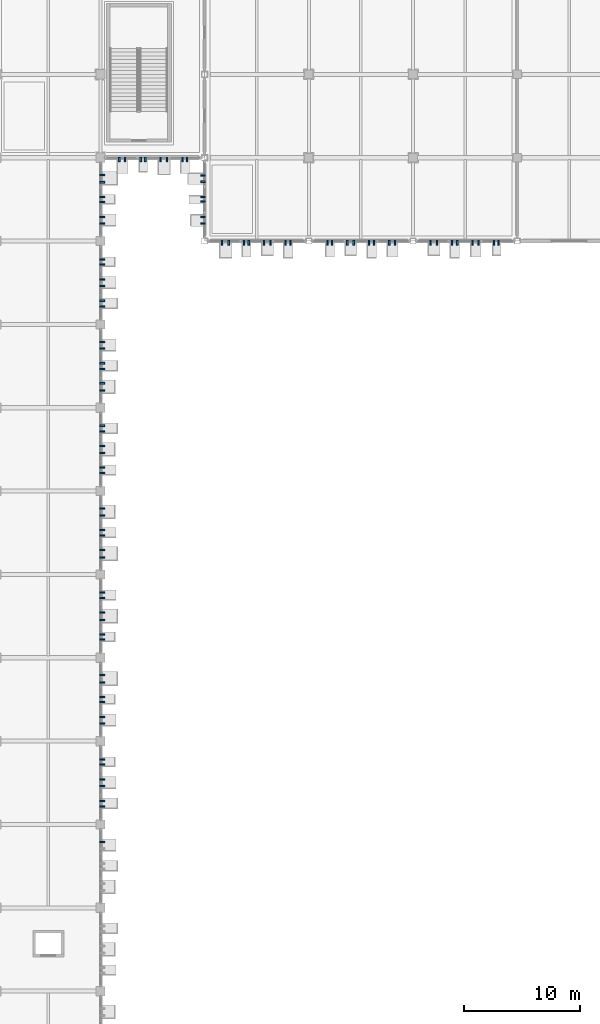
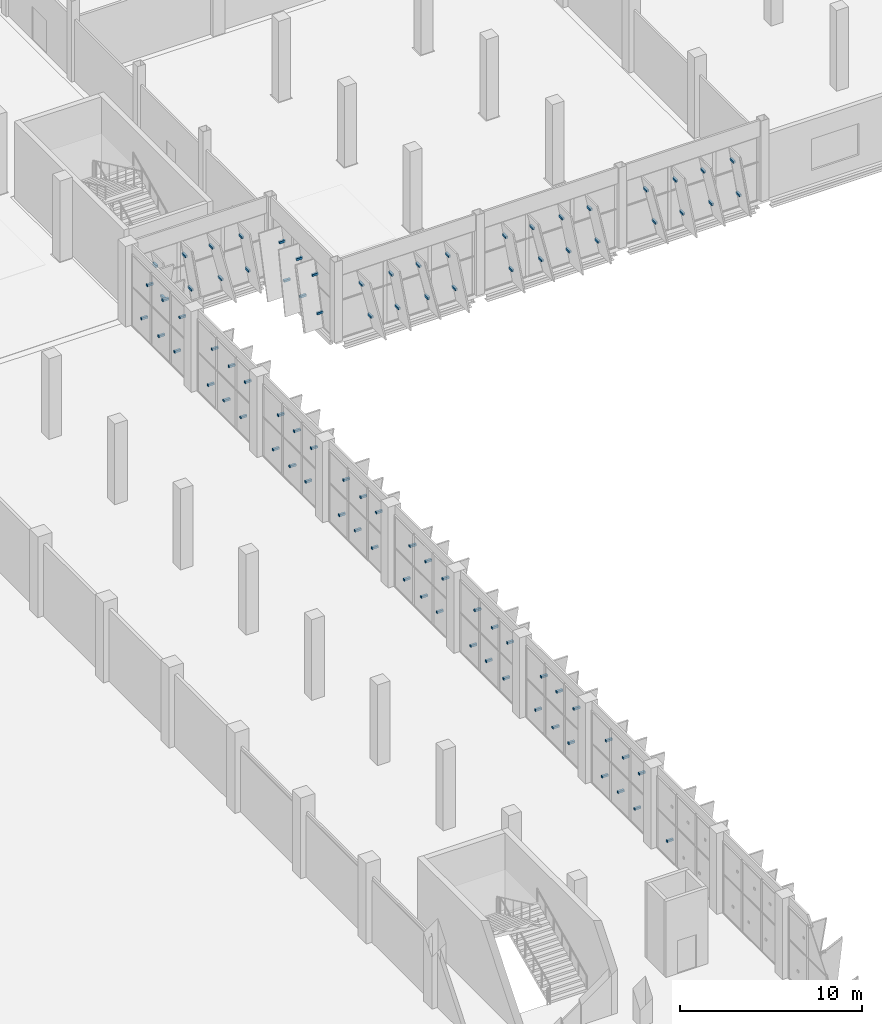
# One storey, part 107 of 137: 87 discrete accessories.
"""IFC4 building model written with IfcOpenShell, lengths in metres."""

from ifc_helpers import new_model, si_unit, direction, frame, origin, origin_2d, place, context, subcontext, project, spatial, rectangle, extrude, material, type_object, element, save


model = new_model("IFC4")

# Units and contexts
model_context = context("Model", 3, precision=1e-05, world=origin(), true_north=direction((0.0, 1.0)))
body_context = subcontext(model_context, "Body", "Model", "MODEL_VIEW")
ifc_project = project(units=[si_unit("LENGTHUNIT", "METRE"), si_unit("AREAUNIT", "SQUARE_METRE"), si_unit("VOLUMEUNIT", "CUBIC_METRE"), si_unit("PLANEANGLEUNIT", "RADIAN"), si_unit("MASSUNIT", "GRAM", prefix="KILO")], contexts=[model_context])

# Site, building, storey
site_placement = place(None, origin())
site = spatial("IfcSite", under=ifc_project, at=site_placement, CompositionType="ELEMENT")
building_placement = place(site_placement, origin())
building = spatial("IfcBuilding", under=site, at=building_placement, Name="Celestram Park Convention Centre", CompositionType="ELEMENT")
storey_placement = place(building_placement, origin())
storey = spatial("IfcBuildingStorey", under=building, at=storey_placement, Name="L00", CompositionType="ELEMENT", Elevation=0.0)

# Discrete accessories
ifc_material = material(Name="Steel ASTM A500 Grade C", Category="steel")
discrete_accessory_type = type_object("IfcDiscreteAccessoryType", Name="ARC-BRK-OUT400", PredefinedType="BRACKET", material=ifc_material)
for number, where, z_axis, x_axis, name in (
    (1, (178.391845703125, 115.050048828125, 0.8935546875), (0.0, 0.0, 1.0), (0.0, -1.0, 0.0), "Solar fin outrigger bracket BK-L00-0001"),
    (2, (178.008056640625, 115.050048828125, 3.263671875), (0.0, 0.0, 1.0), (0.0, -1.0, 0.0), "Solar fin outrigger bracket BK-L00-0002"),
    (3, (176.651611328125, 115.050048828125, 0.90478515625), (0.0, 0.0, 1.0), (0.0, -1.0, 0.0), "Solar fin outrigger bracket BK-L00-0003"),
    (4, (176.1484375, 115.050048828125, 3.25244140625), (0.0, 0.0, 1.0), (0.0, -1.0, 0.0), "Solar fin outrigger bracket BK-L00-0004"),
    (5, (174.816650390625, 115.050048828125, 0.89794921875), (0.0, 0.0, 1.0), (0.0, -1.0, 0.0), "Solar fin outrigger bracket BK-L00-0005"),
    (6, (174.38330078125, 115.050048828125, 3.25927734375), (0.0, 0.0, 1.0), (0.0, -1.0, 0.0), "Solar fin outrigger bracket BK-L00-0006"),
    (7, (173.078125, 115.050048828125, 0.91064453125), (0.0, 0.0, 1.0), (0.0, -1.0, 0.0), "Solar fin outrigger bracket BK-L00-0007"),
    (8, (172.521728515625, 115.050048828125, 3.24609375), (0.0, 0.0, 1.0), (0.0, -1.0, 0.0), "Solar fin outrigger bracket BK-L00-0008"),
    (9, (169.45166015625, 115.050048828125, 0.90478515625), (0.0, 0.0, 1.0), (0.0, -1.0, 0.0), "Solar fin outrigger bracket BK-L00-0009"),
    (10, (168.948486328125, 115.050048828125, 3.25244140625), (0.0, 0.0, 1.0), (0.0, -1.0, 0.0), "Solar fin outrigger bracket BK-L00-0010"),
    (11, (167.61669921875, 115.050048828125, 0.89794921875), (0.0, 0.0, 1.0), (0.0, -1.0, 0.0), "Solar fin outrigger bracket BK-L00-0011"),
    (12, (167.183349609375, 115.050048828125, 3.25927734375), (0.0, 0.0, 1.0), (0.0, -1.0, 0.0), "Solar fin outrigger bracket BK-L00-0012"),
    (13, (165.878173828125, 115.050048828125, 0.91064453125), (0.0, 0.0, 1.0), (0.0, -1.0, 0.0), "Solar fin outrigger bracket BK-L00-0013"),
    (14, (165.32177734375, 115.050048828125, 3.24609375), (0.0, 0.0, 1.0), (0.0, -1.0, 0.0), "Solar fin outrigger bracket BK-L00-0014"),
    (15, (164.00439453125, 115.050048828125, 0.89599609375), (0.0, 0.0, 1.0), (0.0, -1.0, 0.0), "Solar fin outrigger bracket BK-L00-0015"),
    (16, (163.595703125, 115.050048828125, 3.26123046875), (0.0, 0.0, 1.0), (0.0, -1.0, 0.0), "Solar fin outrigger bracket BK-L00-0016"),
    (17, (160.416748046875, 115.050048828125, 0.89794921875), (0.0, 0.0, 1.0), (0.0, -1.0, 0.0), "Solar fin outrigger bracket BK-L00-0017"),
    (18, (159.9833984375, 115.050048828125, 3.25927734375), (0.0, 0.0, 1.0), (0.0, -1.0, 0.0), "Solar fin outrigger bracket BK-L00-0018"),
    (19, (158.67822265625, 115.050048828125, 0.91064453125), (0.0, 0.0, 1.0), (0.0, -1.0, 0.0), "Solar fin outrigger bracket BK-L00-0019"),
    (20, (158.121826171875, 115.050048828125, 3.24609375), (0.0, 0.0, 1.0), (0.0, -1.0, 0.0), "Solar fin outrigger bracket BK-L00-0020"),
    (21, (156.80419921875, 115.050048828125, 0.89599609375), (0.0, 0.0, 1.0), (0.0, -1.0, 0.0), "Solar fin outrigger bracket BK-L00-0021"),
    (22, (156.395751953125, 115.050048828125, 3.26123046875), (0.0, 0.0, 1.0), (0.0, -1.0, 0.0), "Solar fin outrigger bracket BK-L00-0022"),
    (23, (155.086181640625, 115.050048828125, 0.9130859375), (0.0, 0.0, 1.0), (0.0, -1.0, 0.0), "Solar fin outrigger bracket BK-L00-0023"),
    (24, (154.513671875, 115.050048828125, 3.244140625), (0.0, 0.0, 1.0), (0.0, -1.0, 0.0), "Solar fin outrigger bracket BK-L00-0024"),
    (25, (152.85009765625, 116.73291015625, 0.87158203125), (0.0, 0.0, 1.0), (-1.0, 0.0, 0.0), "Solar fin outrigger bracket BK-L00-0025"),
    (26, (152.85009765625, 117.26708984375, 3.11279296875), (0.0, 0.0, 1.0), (-1.0, 0.0, 0.0), "Solar fin outrigger bracket BK-L00-0026"),
    (27, (152.85009765625, 118.60400390625, 0.85693359375), (0.0, 0.0, 1.0), (-1.0, 0.0, 0.0), "Solar fin outrigger bracket BK-L00-0027"),
    (28, (152.85009765625, 118.99609375, 3.126953125), (0.0, 0.0, 1.0), (-1.0, 0.0, 0.0), "Solar fin outrigger bracket BK-L00-0028"),
    (29, (152.85009765625, 120.3251953125, 0.87353515625), (0.0, 0.0, 1.0), (-1.0, 0.0, 0.0), "Solar fin outrigger bracket BK-L00-0029"),
    (30, (152.85009765625, 120.874755859375, 3.11083984375), (0.0, 0.0, 1.0), (-1.0, 0.0, 0.0), "Solar fin outrigger bracket BK-L00-0030"),
    (31, (151.479248046875, 122.25, 0.89599609375), (0.0, 0.0, 1.0), (0.0, -1.0, 0.0), "Solar fin outrigger bracket BK-L00-0031"),
    (32, (151.07080078125, 122.25, 3.26123046875), (0.0, 0.0, 1.0), (0.0, -1.0, 0.0), "Solar fin outrigger bracket BK-L00-0032"),
    (33, (149.76123046875, 122.25, 0.9130859375), (0.0, 0.0, 1.0), (0.0, -1.0, 0.0), "Solar fin outrigger bracket BK-L00-0033"),
    (34, (149.188720703125, 122.25, 3.244140625), (0.0, 0.0, 1.0), (0.0, -1.0, 0.0), "Solar fin outrigger bracket BK-L00-0034"),
    (35, (147.866943359375, 122.25, 0.8935546875), (0.0, 0.0, 1.0), (0.0, -1.0, 0.0), "Solar fin outrigger bracket BK-L00-0035"),
    (36, (147.483154296875, 122.25, 3.263671875), (0.0, 0.0, 1.0), (0.0, -1.0, 0.0), "Solar fin outrigger bracket BK-L00-0036"),
    (37, (146.126708984375, 122.25, 0.90478515625), (0.0, 0.0, 1.0), (0.0, -1.0, 0.0), "Solar fin outrigger bracket BK-L00-0037"),
    (38, (145.623291015625, 122.25, 3.25244140625), (0.0, 0.0, 1.0), (0.0, -1.0, 0.0), "Solar fin outrigger bracket BK-L00-0038"),
    (39, (144.14990234375, 120.92138671875, 1.0322265625), (0.0, 0.0, 1.0), (1.0, 0.0, 0.0), "Solar fin outrigger bracket BK-L00-0039"),
    (40, (144.14990234375, 120.27880859375, 3.64794921875), (0.0, 0.0, 1.0), (1.0, 0.0, 0.0), "Solar fin outrigger bracket BK-L00-0040"),
    (41, (144.14990234375, 119.015380859375, 1.0107421875), (0.0, 0.0, 1.0), (1.0, 0.0, 0.0), "Solar fin outrigger bracket BK-L00-0041"),
    (42, (144.14990234375, 118.584716796875, 3.66943359375), (0.0, 0.0, 1.0), (1.0, 0.0, 0.0), "Solar fin outrigger bracket BK-L00-0042"),
    (43, (144.14990234375, 117.2822265625, 1.02294921875), (0.0, 0.0, 1.0), (1.0, 0.0, 0.0), "Solar fin outrigger bracket BK-L00-0043"),
    (44, (144.14990234375, 116.7177734375, 3.65673828125), (0.0, 0.0, 1.0), (1.0, 0.0, 0.0), "Solar fin outrigger bracket BK-L00-0044"),
    (45, (144.14990234375, 113.615234375, 1.0107421875), (0.0, 0.0, 1.0), (1.0, 0.0, 0.0), "Solar fin outrigger bracket BK-L00-0045"),
    (46, (144.14990234375, 113.184814453125, 3.66943359375), (0.0, 0.0, 1.0), (1.0, 0.0, 0.0), "Solar fin outrigger bracket BK-L00-0046"),
    (47, (144.14990234375, 111.88232421875, 1.02294921875), (0.0, 0.0, 1.0), (1.0, 0.0, 0.0), "Solar fin outrigger bracket BK-L00-0047"),
    (48, (144.14990234375, 111.317626953125, 3.65673828125), (0.0, 0.0, 1.0), (1.0, 0.0, 0.0), "Solar fin outrigger bracket BK-L00-0048"),
    (49, (144.14990234375, 110.043212890625, 1.01513671875), (0.0, 0.0, 1.0), (1.0, 0.0, 0.0), "Solar fin outrigger bracket BK-L00-0049"),
    (50, (144.14990234375, 109.556884765625, 3.66455078125), (0.0, 0.0, 1.0), (1.0, 0.0, 0.0), "Solar fin outrigger bracket BK-L00-0050"),
    (51, (144.14990234375, 106.482421875, 1.02294921875), (0.0, 0.0, 1.0), (1.0, 0.0, 0.0), "Solar fin outrigger bracket BK-L00-0051"),
    (52, (144.14990234375, 105.917724609375, 3.65673828125), (0.0, 0.0, 1.0), (1.0, 0.0, 0.0), "Solar fin outrigger bracket BK-L00-0052"),
    (53, (144.14990234375, 104.64306640625, 1.01513671875), (0.0, 0.0, 1.0), (1.0, 0.0, 0.0), "Solar fin outrigger bracket BK-L00-0053"),
    (54, (144.14990234375, 104.156982421875, 3.66455078125), (0.0, 0.0, 1.0), (1.0, 0.0, 0.0), "Solar fin outrigger bracket BK-L00-0054"),
    (55, (144.14990234375, 102.912109375, 1.02978515625), (0.0, 0.0, 1.0), (1.0, 0.0, 0.0), "Solar fin outrigger bracket BK-L00-0055"),
    (56, (144.14990234375, 102.287841796875, 3.650390625), (0.0, 0.0, 1.0), (1.0, 0.0, 0.0), "Solar fin outrigger bracket BK-L00-0056"),
    (57, (144.14990234375, 99.2431640625, 1.01513671875), (0.0, 0.0, 1.0), (1.0, 0.0, 0.0), "Solar fin outrigger bracket BK-L00-0057"),
    (58, (144.14990234375, 98.7568359375, 3.66455078125), (0.0, 0.0, 1.0), (1.0, 0.0, 0.0), "Solar fin outrigger bracket BK-L00-0058"),
    (59, (144.14990234375, 97.51220703125, 1.02978515625), (0.0, 0.0, 1.0), (1.0, 0.0, 0.0), "Solar fin outrigger bracket BK-L00-0059"),
    (60, (144.14990234375, 96.887939453125, 3.650390625), (0.0, 0.0, 1.0), (1.0, 0.0, 0.0), "Solar fin outrigger bracket BK-L00-0060"),
    (61, (144.14990234375, 95.629150390625, 1.01318359375), (0.0, 0.0, 1.0), (1.0, 0.0, 0.0), "Solar fin outrigger bracket BK-L00-0061"),
    (62, (144.14990234375, 95.1708984375, 3.6669921875), (0.0, 0.0, 1.0), (1.0, 0.0, 0.0), "Solar fin outrigger bracket BK-L00-0062"),
    (63, (144.14990234375, 92.112060546875, 1.02978515625), (0.0, 0.0, 1.0), (1.0, 0.0, 0.0), "Solar fin outrigger bracket BK-L00-0063"),
    (64, (144.14990234375, 91.48779296875, 3.650390625), (0.0, 0.0, 1.0), (1.0, 0.0, 0.0), "Solar fin outrigger bracket BK-L00-0064"),
    (65, (144.14990234375, 90.229248046875, 1.01318359375), (0.0, 0.0, 1.0), (1.0, 0.0, 0.0), "Solar fin outrigger bracket BK-L00-0065"),
    (66, (144.14990234375, 89.770751953125, 3.6669921875), (0.0, 0.0, 1.0), (1.0, 0.0, 0.0), "Solar fin outrigger bracket BK-L00-0066"),
    (67, (144.14990234375, 88.521240234375, 1.0322265625), (0.0, 0.0, 1.0), (1.0, 0.0, 0.0), "Solar fin outrigger bracket BK-L00-0067"),
    (68, (144.14990234375, 87.878662109375, 3.64794921875), (0.0, 0.0, 1.0), (1.0, 0.0, 0.0), "Solar fin outrigger bracket BK-L00-0068"),
    (69, (144.14990234375, 84.8291015625, 1.01318359375), (0.0, 0.0, 1.0), (1.0, 0.0, 0.0), "Solar fin outrigger bracket BK-L00-0069"),
    (70, (144.14990234375, 84.370849609375, 3.6669921875), (0.0, 0.0, 1.0), (1.0, 0.0, 0.0), "Solar fin outrigger bracket BK-L00-0070"),
    (71, (144.14990234375, 83.121337890625, 1.0322265625), (0.0, 0.0, 1.0), (1.0, 0.0, 0.0), "Solar fin outrigger bracket BK-L00-0071"),
    (72, (144.14990234375, 82.478759765625, 3.64794921875), (0.0, 0.0, 1.0), (1.0, 0.0, 0.0), "Solar fin outrigger bracket BK-L00-0072"),
    (73, (144.14990234375, 81.21533203125, 1.0107421875), (0.0, 0.0, 1.0), (1.0, 0.0, 0.0), "Solar fin outrigger bracket BK-L00-0073"),
    (74, (144.14990234375, 80.78466796875, 3.66943359375), (0.0, 0.0, 1.0), (1.0, 0.0, 0.0), "Solar fin outrigger bracket BK-L00-0074"),
    (75, (144.14990234375, 77.72119140625, 1.0322265625), (0.0, 0.0, 1.0), (1.0, 0.0, 0.0), "Solar fin outrigger bracket BK-L00-0075"),
    (76, (144.14990234375, 77.07861328125, 3.64794921875), (0.0, 0.0, 1.0), (1.0, 0.0, 0.0), "Solar fin outrigger bracket BK-L00-0076"),
    (77, (144.14990234375, 75.815185546875, 1.0107421875), (0.0, 0.0, 1.0), (1.0, 0.0, 0.0), "Solar fin outrigger bracket BK-L00-0077"),
    (78, (144.14990234375, 75.384765625, 3.66943359375), (0.0, 0.0, 1.0), (1.0, 0.0, 0.0), "Solar fin outrigger bracket BK-L00-0078"),
    (79, (144.14990234375, 74.082275390625, 1.02294921875), (0.0, 0.0, 1.0), (1.0, 0.0, 0.0), "Solar fin outrigger bracket BK-L00-0079"),
    (80, (144.14990234375, 73.517578125, 3.65673828125), (0.0, 0.0, 1.0), (1.0, 0.0, 0.0), "Solar fin outrigger bracket BK-L00-0080"),
    (81, (144.14990234375, 70.415283203125, 1.0107421875), (0.0, 0.0, 1.0), (1.0, 0.0, 0.0), "Solar fin outrigger bracket BK-L00-0081"),
    (82, (144.14990234375, 69.984619140625, 3.66943359375), (0.0, 0.0, 1.0), (1.0, 0.0, 0.0), "Solar fin outrigger bracket BK-L00-0082"),
    (83, (144.14990234375, 68.682373046875, 1.02294921875), (0.0, 0.0, 1.0), (1.0, 0.0, 0.0), "Solar fin outrigger bracket BK-L00-0083"),
    (84, (144.14990234375, 68.11767578125, 3.65673828125), (0.0, 0.0, 1.0), (1.0, 0.0, 0.0), "Solar fin outrigger bracket BK-L00-0084"),
    (85, (144.14990234375, 66.843017578125, 1.01513671875), (0.0, 0.0, 1.0), (1.0, 0.0, 0.0), "Solar fin outrigger bracket BK-L00-0085"),
    (86, (144.14990234375, 66.35693359375, 3.66455078125), (0.0, 0.0, 1.0), (1.0, 0.0, 0.0), "Solar fin outrigger bracket BK-L00-0086"),
    (87, (144.14990234375, 63.2822265625, 1.02294921875), (0.0, 0.0, 1.0), (1.0, 0.0, 0.0), "Solar fin outrigger bracket BK-L00-0087"),
):
    element("IfcDiscreteAccessory", number, at=place(storey_placement, frame(where, z_axis=z_axis, x_axis=x_axis)), inside=storey, type_object=discrete_accessory_type, Name=name, PredefinedType="BRACKET", context=body_context, shape_type="SweptSolid", body=[
        extrude(rectangle(XDim=0.39990234375, YDim=0.139892578125, at=origin_2d()), origin(), (0.0, 0.0, 1.0), 0.139892578125),
    ])

save(model, "model.ifc")
